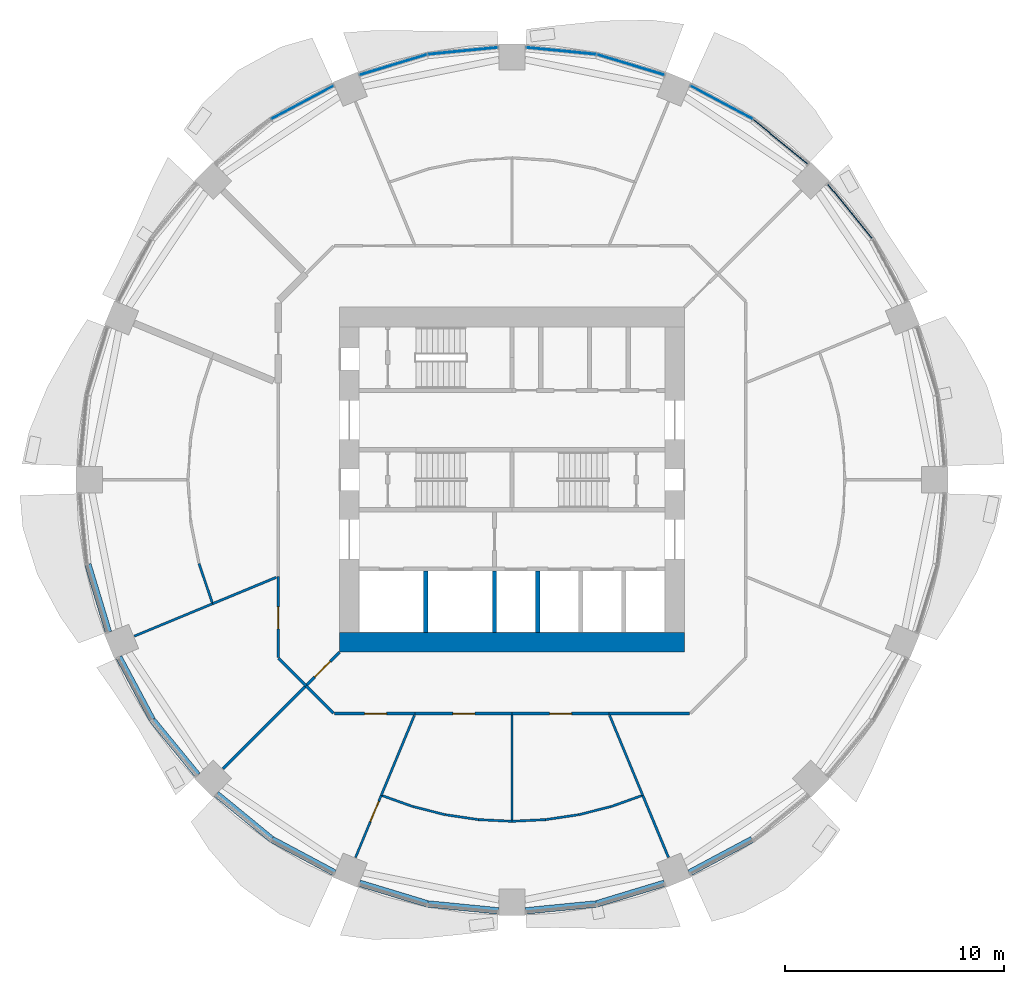
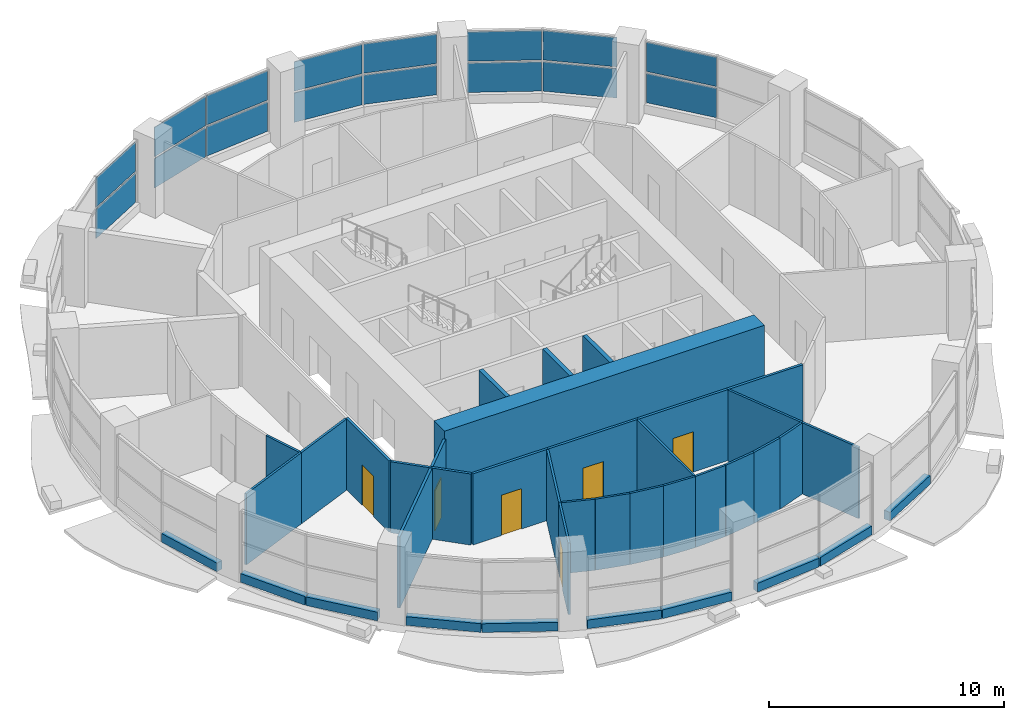
# One storey, part 7 of 14: 39 walls, 16 plates, 6 doors, 6 openings, 5 elements without a shape of their own.
"""IFC4 building model written with IfcOpenShell, lengths in metres."""

from ifc_helpers import new_model, si_unit, direction, frame, frame_2d, origin, origin_2d, place, context, subcontext, project, spatial, rectangle, extrude, material, layer, layer_set, type_object, element, fill, aggregate, save


model = new_model("IFC4")

# Units and contexts
model_context = context("Model", 3, precision=1e-05, world=origin(), true_north=direction((0.0, 1.0)))
body_context = subcontext(model_context, "Body", "Model", "MODEL_VIEW")
ifc_project = project(units=[si_unit("LENGTHUNIT", "METRE"), si_unit("AREAUNIT", "SQUARE_METRE"), si_unit("VOLUMEUNIT", "CUBIC_METRE"), si_unit("PLANEANGLEUNIT", "RADIAN"), si_unit("MASSUNIT", "GRAM", prefix="KILO")], contexts=[model_context])

# Site, building, storey
site_placement = place(None, origin())
site = spatial("IfcSite", under=ifc_project, at=site_placement, CompositionType="ELEMENT")
building_placement = place(site_placement, origin())
building = spatial("IfcBuilding", under=site, at=building_placement, Name="Polderwave Tower", CompositionType="ELEMENT")
storey_placement = place(building_placement, frame((0.0, 0.0, 14.39990234375)))
storey = spatial("IfcBuildingStorey", under=building, at=storey_placement, Name="L03", CompositionType="ELEMENT", Elevation=14.39990234375)

# Curtain wall, plates
ifc_material_1 = material(Name="Aluminium 6063-T6 and glass", Category="aluminium")
curtain_wall_type = type_object("IfcCurtainWallType", Name="Shopfront glazing wall", PredefinedType="NOTDEFINED", material=ifc_material_1)
curtain_wall_1_placement = place(storey_placement, origin())
curtain_wall_1 = element("IfcCurtainWall", 1, at=curtain_wall_1_placement, inside=storey, type_object=curtain_wall_type, Name="CW1 L03 01", PredefinedType="NOTDEFINED")
ifc_material_2 = material(Name="Glass, low-e laminated double glazing", Category="glass")
ifc_layer_1 = layer(ifc_material_2, 0.035888671875)
ifc_layer_set_1 = layer_set([ifc_layer_1], Name="Shopfront glazing glass panel 36 mm")
plate_type = type_object("IfcPlateType", Name="Shopfront glazing glass panel 36 mm", PredefinedType="CURTAIN_PANEL", material=ifc_layer_set_1)
plate_1_placement = place(storey_placement, frame((15.425048828125, 12.25, 0.4501953125), z_axis=(0.0, 0.0, 1.0), x_axis=(-0.634433758027, 0.772977235548, 0.0)))
plate_1 = element("IfcPlate", 2, at=plate_1_placement, type_object=plate_type, Name="CW1 panel 3", PredefinedType="CURTAIN_PANEL", context=body_context, shape_type="SweptSolid", body=[
    extrude(rectangle(XDim=3.18701171875, YDim=0.035888671875, at=origin_2d()), origin(), (0.0, 0.0, 1.0), 1.52490234375),
])
plate_2_placement = place(storey_placement, frame((15.425048828125, 12.25, 2.0751953125), z_axis=(0.0, 0.0, 1.0), x_axis=(-0.634433758027, 0.772977235548, 0.0)))
plate_2 = element("IfcPlate", 3, at=plate_2_placement, type_object=plate_type, Name="CW1 panel 4", PredefinedType="CURTAIN_PANEL", context=body_context, shape_type="SweptSolid", body=[
    extrude(rectangle(XDim=3.18701171875, YDim=0.035888671875, at=origin_2d()), origin(), (0.0, 0.0, 1.0), 1.52490234375),
])
aggregate(curtain_wall_1, [plate_1, plate_2])

curtain_wall_2_placement = place(storey_placement, origin())
curtain_wall_2 = element("IfcCurtainWall", 4, at=curtain_wall_2_placement, inside=storey, type_object=curtain_wall_type, Name="CW1 L03 02", PredefinedType="NOTDEFINED")
plate_3_placement = place(storey_placement, frame((12.25, 15.425048828125, 0.4501953125), z_axis=(0.0, 0.0, 1.0), x_axis=(-0.772977235548, 0.634433758027, 0.0)))
plate_3 = element("IfcPlate", 5, at=plate_3_placement, type_object=plate_type, Name="CW1 panel 1", PredefinedType="CURTAIN_PANEL", context=body_context, shape_type="SweptSolid", body=[
    extrude(rectangle(XDim=3.18701171875, YDim=0.035888671875, at=origin_2d()), origin(), (0.0, 0.0, 1.0), 1.52490234375),
])
plate_4_placement = place(storey_placement, frame((12.25, 15.425048828125, 2.0751953125), z_axis=(0.0, 0.0, 1.0), x_axis=(-0.772977235548, 0.634433758027, 0.0)))
plate_4 = element("IfcPlate", 6, at=plate_4_placement, type_object=plate_type, Name="CW1 panel 2", PredefinedType="CURTAIN_PANEL", context=body_context, shape_type="SweptSolid", body=[
    extrude(rectangle(XDim=3.18701171875, YDim=0.035888671875, at=origin_2d()), origin(), (0.0, 0.0, 1.0), 1.52490234375),
])
plate_5_placement = place(storey_placement, frame((9.563232421875, 17.219970703125, 0.4501953125), z_axis=(0.0, 0.0, 1.0), x_axis=(-0.882015039538, 0.471221253797, 0.0)))
plate_5 = element("IfcPlate", 7, at=plate_5_placement, type_object=plate_type, Name="CW1 panel 3", PredefinedType="CURTAIN_PANEL", context=body_context, shape_type="SweptSolid", body=[
    extrude(rectangle(XDim=3.1865234375, YDim=0.035888671875, at=origin_2d()), origin(), (0.0, 0.0, 1.0), 1.52490234375),
])
plate_6_placement = place(storey_placement, frame((9.563232421875, 17.219970703125, 2.0751953125), z_axis=(0.0, 0.0, 1.0), x_axis=(-0.882015039538, 0.471221253797, 0.0)))
plate_6 = element("IfcPlate", 8, at=plate_6_placement, type_object=plate_type, Name="CW1 panel 4", PredefinedType="CURTAIN_PANEL", context=body_context, shape_type="SweptSolid", body=[
    extrude(rectangle(XDim=3.1865234375, YDim=0.035888671875, at=origin_2d()), origin(), (0.0, 0.0, 1.0), 1.52490234375),
])
aggregate(curtain_wall_2, [plate_3, plate_4, plate_5, plate_6])

curtain_wall_3_placement = place(storey_placement, origin())
curtain_wall_3 = element("IfcCurtainWall", 9, at=curtain_wall_3_placement, inside=storey, type_object=curtain_wall_type, Name="CW1 L03 03", PredefinedType="NOTDEFINED")
plate_7_placement = place(storey_placement, frame((5.4140625, 18.93896484375, 0.4501953125), z_axis=(0.0, 0.0, 1.0), x_axis=(-0.956939829088, 0.29028634743, 0.0)))
plate_7 = element("IfcPlate", 10, at=plate_7_placement, type_object=plate_type, Name="CW1 panel 1", PredefinedType="CURTAIN_PANEL", context=body_context, shape_type="SweptSolid", body=[
    extrude(rectangle(XDim=3.18603515625, YDim=0.035888671875, at=origin_2d()), origin(), (0.0, 0.0, 1.0), 1.52490234375),
])
plate_8_placement = place(storey_placement, frame((5.4140625, 18.93896484375, 2.0751953125), z_axis=(0.0, 0.0, 1.0), x_axis=(-0.956939829088, 0.29028634743, 0.0)))
plate_8 = element("IfcPlate", 11, at=plate_8_placement, type_object=plate_type, Name="CW1 panel 2", PredefinedType="CURTAIN_PANEL", context=body_context, shape_type="SweptSolid", body=[
    extrude(rectangle(XDim=3.18603515625, YDim=0.035888671875, at=origin_2d()), origin(), (0.0, 0.0, 1.0), 1.52490234375),
])
plate_9_placement = place(storey_placement, frame((2.245361328125, 19.569091796875, 0.4501953125), z_axis=(0.0, 0.0, 1.0), x_axis=(-0.995190028453, 0.097963295511, 0.0)))
plate_9 = element("IfcPlate", 12, at=plate_9_placement, type_object=plate_type, Name="CW1 panel 3", PredefinedType="CURTAIN_PANEL", context=body_context, shape_type="SweptSolid", body=[
    extrude(rectangle(XDim=3.186767578125, YDim=0.035888671875, at=origin_2d()), origin(), (0.0, 0.0, 1.0), 1.52490234375),
])
plate_10_placement = place(storey_placement, frame((2.245361328125, 19.569091796875, 2.0751953125), z_axis=(0.0, 0.0, 1.0), x_axis=(-0.995190028453, 0.097963295511, 0.0)))
plate_10 = element("IfcPlate", 13, at=plate_10_placement, type_object=plate_type, Name="CW1 panel 4", PredefinedType="CURTAIN_PANEL", context=body_context, shape_type="SweptSolid", body=[
    extrude(rectangle(XDim=3.186767578125, YDim=0.035888671875, at=origin_2d()), origin(), (0.0, 0.0, 1.0), 1.52490234375),
])
aggregate(curtain_wall_3, [plate_7, plate_8, plate_9, plate_10])

curtain_wall_4_placement = place(storey_placement, origin())
curtain_wall_4 = element("IfcCurtainWall", 14, at=curtain_wall_4_placement, inside=storey, type_object=curtain_wall_type, Name="CW1 L03 04", PredefinedType="NOTDEFINED")
plate_11_placement = place(storey_placement, frame((-2.245361328125, 19.569091796875, 0.4501953125), z_axis=(0.0, 0.0, 1.0), x_axis=(-0.995190028453, -0.097963295511, 0.0)))
plate_11 = element("IfcPlate", 15, at=plate_11_placement, type_object=plate_type, Name="CW1 panel 1", PredefinedType="CURTAIN_PANEL", context=body_context, shape_type="SweptSolid", body=[
    extrude(rectangle(XDim=3.186767578125, YDim=0.035888671875, at=origin_2d()), origin(), (0.0, 0.0, 1.0), 1.52490234375),
])
plate_12_placement = place(storey_placement, frame((-2.245361328125, 19.569091796875, 2.0751953125), z_axis=(0.0, 0.0, 1.0), x_axis=(-0.995190028453, -0.097963295511, 0.0)))
plate_12 = element("IfcPlate", 16, at=plate_12_placement, type_object=plate_type, Name="CW1 panel 2", PredefinedType="CURTAIN_PANEL", context=body_context, shape_type="SweptSolid", body=[
    extrude(rectangle(XDim=3.186767578125, YDim=0.035888671875, at=origin_2d()), origin(), (0.0, 0.0, 1.0), 1.52490234375),
])
plate_13_placement = place(storey_placement, frame((-5.4140625, 18.93896484375, 0.4501953125), z_axis=(0.0, 0.0, 1.0), x_axis=(-0.956939829088, -0.29028634743, 0.0)))
plate_13 = element("IfcPlate", 17, at=plate_13_placement, type_object=plate_type, Name="CW1 panel 3", PredefinedType="CURTAIN_PANEL", context=body_context, shape_type="SweptSolid", body=[
    extrude(rectangle(XDim=3.18603515625, YDim=0.035888671875, at=origin_2d()), origin(), (0.0, 0.0, 1.0), 1.52490234375),
])
plate_14_placement = place(storey_placement, frame((-5.4140625, 18.93896484375, 2.0751953125), z_axis=(0.0, 0.0, 1.0), x_axis=(-0.956939829088, -0.29028634743, 0.0)))
plate_14 = element("IfcPlate", 18, at=plate_14_placement, type_object=plate_type, Name="CW1 panel 4", PredefinedType="CURTAIN_PANEL", context=body_context, shape_type="SweptSolid", body=[
    extrude(rectangle(XDim=3.18603515625, YDim=0.035888671875, at=origin_2d()), origin(), (0.0, 0.0, 1.0), 1.52490234375),
])
aggregate(curtain_wall_4, [plate_11, plate_12, plate_13, plate_14])

curtain_wall_5_placement = place(storey_placement, origin())
curtain_wall_5 = element("IfcCurtainWall", 19, at=curtain_wall_5_placement, inside=storey, type_object=curtain_wall_type, Name="CW1 L03 05", PredefinedType="NOTDEFINED")
plate_15_placement = place(storey_placement, frame((-9.563232421875, 17.219970703125, 0.4501953125), z_axis=(0.0, 0.0, 1.0), x_axis=(-0.882015039538, -0.471221253797, 0.0)))
plate_15 = element("IfcPlate", 20, at=plate_15_placement, type_object=plate_type, Name="CW1 panel 1", PredefinedType="CURTAIN_PANEL", context=body_context, shape_type="SweptSolid", body=[
    extrude(rectangle(XDim=3.1865234375, YDim=0.035888671875, at=origin_2d()), origin(), (0.0, 0.0, 1.0), 1.52490234375),
])
plate_16_placement = place(storey_placement, frame((-9.563232421875, 17.219970703125, 2.0751953125), z_axis=(0.0, 0.0, 1.0), x_axis=(-0.882015039538, -0.471221253797, 0.0)))
plate_16 = element("IfcPlate", 21, at=plate_16_placement, type_object=plate_type, Name="CW1 panel 2", PredefinedType="CURTAIN_PANEL", context=body_context, shape_type="SweptSolid", body=[
    extrude(rectangle(XDim=3.1865234375, YDim=0.035888671875, at=origin_2d()), origin(), (0.0, 0.0, 1.0), 1.52490234375),
])
aggregate(curtain_wall_5, [plate_15, plate_16])

# Walls
ifc_material_3 = material(Name="Concrete C80/95", Category="concrete")
ifc_layer_2 = layer(ifc_material_3, 0.89990234375)
ifc_layer_set_2 = layer_set([ifc_layer_2], Name="CORE WALL 900 C80/95")
wall_type_1 = type_object("IfcWallType", Name="CORE WALL 900 C80/95", PredefinedType="SHEAR", material=ifc_layer_set_2)
wall_1_placement = place(storey_placement, frame((-7.8740234375, -7.424072265625, 0.0), z_axis=(0.0, 0.0, 1.0), x_axis=(1.0, 0.0, 0.0)))
element("IfcWall", 22, at=wall_1_placement, inside=storey, type_object=wall_type_1, Name="ST-CORE-L03-S", PredefinedType="SHEAR", context=body_context, shape_type="SweptSolid", body=[
    extrude(rectangle(XDim=15.748046875, YDim=0.89990234375, at=frame_2d((7.8740234375, 0.0))), origin(), (0.0, 0.0, 1.0), 4.10009765625),
])
ifc_material_4 = material(Name="Concrete C50/60 (board-marked)", Category="concrete")
ifc_layer_3 = layer(ifc_material_4, 0.300048828125)
ifc_layer_set_3 = layer_set([ifc_layer_3], Name="Concrete spandrel upstand C50/60")
wall_type_2 = type_object("IfcWallType", Name="Concrete spandrel upstand C50/60", PredefinedType="SOLIDWALL", material=ifc_layer_set_3)
wall_2_placement = place(storey_placement, frame((-19.356689453125, -3.865478515625, 0.0), z_axis=(0.0, 0.0, 1.0), x_axis=(0.290390365963, -0.956908269039, 0.0)))
element("IfcWall", 23, at=wall_2_placement, inside=storey, type_object=wall_type_2, Name="Spandrel L03 9b", PredefinedType="SOLIDWALL", context=body_context, shape_type="SweptSolid", body=[
    extrude(rectangle(XDim=3.237548828125, YDim=0.300048828125, at=frame_2d((1.61865234375, 0.0))), origin(), (0.0, 0.0, 1.0), 0.4501953125),
])
for number, where, z_axis, x_axis, name in (
    (24, (-17.94580078125, -8.09716796875, 0.0), (0.0, 0.0, 1.0), (0.471085080078, -0.882087777564, 0.0), "Spandrel L03 10a"),
    (25, (-16.403564453125, -10.978515625, 0.0), (0.0, 0.0, 1.0), (0.634218412843, -0.773153933451, 0.0), "Spandrel L03 10b"),
    (26, (-13.482421875, -14.349609375, 0.0), (0.0, 0.0, 1.0), (0.773153933451, -0.634218412843, 0.0), "Spandrel L03 11a"),
    (27, (-10.953857421875, -16.420166015625, 0.0), (0.0, 0.0, 1.0), (0.882087777564, -0.471085080078, 0.0), "Spandrel L03 11b"),
):
    element("IfcWall", number, at=place(storey_placement, frame(where, z_axis=z_axis, x_axis=x_axis)), inside=storey, type_object=wall_type_2, Name=name, PredefinedType="SOLIDWALL", context=body_context, shape_type="SweptSolid", body=[
        extrude(rectangle(XDim=3.238525390625, YDim=0.300048828125, at=frame_2d((1.619140625, 0.0))), origin(), (0.0, 0.0, 1.0), 0.4501953125),
    ])
wall_3_placement = place(storey_placement, frame((-6.963623046875, -18.41650390625, 0.0), z_axis=(0.0, 0.0, 1.0), x_axis=(0.956908269039, -0.290390365963, 0.0)))
element("IfcWall", 28, at=wall_3_placement, inside=storey, type_object=wall_type_2, Name="Spandrel L03 12a", PredefinedType="SOLIDWALL", context=body_context, shape_type="SweptSolid", body=[
    extrude(rectangle(XDim=3.237548828125, YDim=0.300048828125, at=frame_2d((1.61865234375, 0.0))), origin(), (0.0, 0.0, 1.0), 0.4501953125),
])
for number, where, z_axis, x_axis, name in (
    (29, (-3.836181640625, -19.362548828125, 0.0), (0.0, 0.0, 1.0), (0.995202224809, -0.097839315898, 0.0), "Spandrel L03 12b"),
    (30, (0.61279296875, -19.679443359375, 0.0), (0.0, 0.0, 1.0), (0.995202224809, 0.097839315898, 0.0), "Spandrel L03 13a"),
):
    element("IfcWall", number, at=place(storey_placement, frame(where, z_axis=z_axis, x_axis=x_axis)), inside=storey, type_object=wall_type_2, Name=name, PredefinedType="SOLIDWALL", context=body_context, shape_type="SweptSolid", body=[
        extrude(rectangle(XDim=3.239013671875, YDim=0.300048828125, at=frame_2d((1.61962890625, 0.0))), origin(), (0.0, 0.0, 1.0), 0.4501953125),
    ])
wall_4_placement = place(storey_placement, frame((3.865478515625, -19.356689453125, 0.0), z_axis=(0.0, 0.0, 1.0), x_axis=(0.956908269039, 0.290390365963, 0.0)))
element("IfcWall", 31, at=wall_4_placement, inside=storey, type_object=wall_type_2, Name="Spandrel L03 13b", PredefinedType="SOLIDWALL", context=body_context, shape_type="SweptSolid", body=[
    extrude(rectangle(XDim=3.237548828125, YDim=0.300048828125, at=frame_2d((1.61865234375, 0.0))), origin(), (0.0, 0.0, 1.0), 0.4501953125),
])
wall_5_placement = place(storey_placement, frame((8.09716796875, -17.94580078125, 0.0), z_axis=(0.0, 0.0, 1.0), x_axis=(0.882087777564, 0.471085080078, 0.0)))
element("IfcWall", 32, at=wall_5_placement, inside=storey, type_object=wall_type_2, Name="Spandrel L03 14a", PredefinedType="SOLIDWALL", context=body_context, shape_type="SweptSolid", body=[
    extrude(rectangle(XDim=3.238525390625, YDim=0.300048828125, at=frame_2d((1.619140625, 0.0))), origin(), (0.0, 0.0, 1.0), 0.4501953125),
])

# Wall, opening, door
ifc_material_5 = material(Name="Fire-resisting board on steel studs", Category="steel")
ifc_layer_4 = layer(ifc_material_5, 0.125)
ifc_layer_set_4 = layer_set([ifc_layer_4], Name="Corridor wall 125 mm EI 60")
wall_type_3 = type_object("IfcWallType", Name="Corridor wall 125 mm EI 60", PredefinedType="PARTITIONING", material=ifc_layer_set_4)
wall_6_placement = place(storey_placement, frame((-7.8740234375, -7.8740234375, 0.0), z_axis=(0.0, 0.0, 1.0), x_axis=(-0.707106781187, -0.707106781187, 0.0)))
wall_6 = element("IfcWall", 33, at=wall_6_placement, inside=storey, type_object=wall_type_3, Name="IN-L03-W013", PredefinedType="PARTITIONING", context=body_context, shape_type="SweptSolid", body=[
    extrude(rectangle(XDim=2.10205078125, YDim=0.125, at=frame_2d((1.051025390625, 0.0))), origin(), (0.0, 0.0, 1.0), 3.7001953125),
])
opening_1_placement = place(wall_6_placement, frame((0.60009765625, 0.0, 0.0)))
opening_1 = element("IfcOpeningElement", 34, at=opening_1_placement, cuts=wall_6, Name="Opening L03-D58", PredefinedType="OPENING", context=body_context, shape_type="SweptSolid", body=[
    extrude(rectangle(XDim=1.0, YDim=2.10009765625, at=frame_2d((0.5, 1.050048828125))), frame((0.0, 0.072509765625, 0.0), z_axis=(0.0, -1.0, 0.0), x_axis=(1.0, 0.0, 0.0)), (0.0, 0.0, 1.0), 0.14501953125),
])
ifc_material_6 = material(Name="Timber fire door leaf", Category="wood")
door_type_1 = type_object("IfcDoorType", Name="Fire door FD30S 1000 x 2100", OperationType="NOTDEFINED", PredefinedType="DOOR", material=ifc_material_6)
door_1_placement = place(opening_1_placement, origin())
door_1 = element("IfcDoor", 35, at=door_1_placement, inside=storey, type_object=door_type_1, Name="Door L03-D58", OperationType="SINGLE_SWING_RIGHT", OverallHeight=2.10009765625, OverallWidth=1.0, PredefinedType="DOOR", context=body_context, shape_type="SweptSolid", body=[
    extrude(rectangle(XDim=1.0, YDim=2.10009765625, at=frame_2d((0.5, 1.050048828125))), frame((0.0, 0.02490234375, 0.0), z_axis=(0.0, -1.0, 0.0), x_axis=(1.0, 0.0, 0.0)), (0.0, 0.0, 1.0), 0.050048828125),
])
fill(opening_1, door_1)

wall_7_placement = place(storey_placement, frame((-10.674072265625, -8.109130859375, 0.0), z_axis=(0.0, 0.0, 1.0), x_axis=(0.0, 1.0, 0.0)))
wall_7 = element("IfcWall", 36, at=wall_7_placement, inside=storey, type_object=wall_type_3, Name="IN-L03-W017", PredefinedType="PARTITIONING", context=body_context, shape_type="SweptSolid", body=[
    extrude(rectangle(XDim=3.687744140625, YDim=0.125, at=frame_2d((1.84375, 0.0))), origin(), (0.0, 0.0, 1.0), 3.7001953125),
])
opening_2_placement = place(wall_7_placement, frame((1.300048828125, 0.0, 0.0)))
opening_2 = element("IfcOpeningElement", 37, at=opening_2_placement, cuts=wall_7, Name="Opening L03-D61", PredefinedType="OPENING", context=body_context, shape_type="SweptSolid", body=[
    extrude(rectangle(XDim=1.0, YDim=2.10009765625, at=frame_2d((0.5, 1.050048828125))), frame((0.0, 0.072509765625, 0.0), z_axis=(0.0, -1.0, 0.0), x_axis=(1.0, 0.0, 0.0)), (0.0, 0.0, 1.0), 0.14501953125),
])
door_2_placement = place(opening_2_placement, origin())
door_2 = element("IfcDoor", 38, at=door_2_placement, inside=storey, type_object=door_type_1, Name="Door L03-D61", OperationType="SINGLE_SWING_LEFT", OverallHeight=2.10009765625, OverallWidth=1.0, PredefinedType="DOOR", context=body_context, shape_type="SweptSolid", body=[
    extrude(rectangle(XDim=1.0, YDim=2.10009765625, at=frame_2d((0.5, 1.050048828125))), frame((0.0, 0.02490234375, 0.0), z_axis=(0.0, -1.0, 0.0), x_axis=(1.0, 0.0, 0.0)), (0.0, 0.0, 1.0), 0.050048828125),
])
fill(opening_2, door_2)

# Walls
for number, where, z_axis, x_axis, name in (
    (39, (-9.404541015625, -9.404541015625, 0.0), (0.0, 0.0, 1.0), (-0.707106781187, 0.707106781187, 0.0), "IN-L03-W018"),
    (40, (-8.1533203125, -10.65576171875, 0.0), (0.0, 0.0, 1.0), (-0.707106781187, 0.707106781187, 0.0), "IN-L03-W019"),
):
    element("IfcWall", number, at=place(storey_placement, frame(where, z_axis=z_axis, x_axis=x_axis)), inside=storey, type_object=wall_type_3, Name=name, PredefinedType="PARTITIONING", context=body_context, shape_type="SweptSolid", body=[
        extrude(rectangle(XDim=1.76953125, YDim=0.125, at=frame_2d((0.884765625, 0.0))), origin(), (0.0, 0.0, 1.0), 3.7001953125),
    ])

# Wall, opening, door
wall_8_placement = place(storey_placement, frame((-4.42138671875, -10.674072265625, 0.0), z_axis=(0.0, 0.0, 1.0), x_axis=(-1.0, 0.0, 0.0)))
wall_8 = element("IfcWall", 41, at=wall_8_placement, inside=storey, type_object=wall_type_3, Name="IN-L03-W020", PredefinedType="PARTITIONING", context=body_context, shape_type="SweptSolid", body=[
    extrude(rectangle(XDim=3.687744140625, YDim=0.125, at=frame_2d((1.84375, 0.0))), origin(), (0.0, 0.0, 1.0), 3.7001953125),
])
opening_3_placement = place(wall_8_placement, frame((1.300048828125, 0.0, 0.0)))
opening_3 = element("IfcOpeningElement", 42, at=opening_3_placement, cuts=wall_8, Name="Opening L03-D62", PredefinedType="OPENING", context=body_context, shape_type="SweptSolid", body=[
    extrude(rectangle(XDim=1.0, YDim=2.10009765625, at=frame_2d((0.5, 1.050048828125))), frame((0.0, 0.072509765625, 0.0), z_axis=(0.0, -1.0, 0.0), x_axis=(1.0, 0.0, 0.0)), (0.0, 0.0, 1.0), 0.14501953125),
])
door_3_placement = place(opening_3_placement, origin())
door_3 = element("IfcDoor", 43, at=door_3_placement, inside=storey, type_object=door_type_1, Name="Door L03-D62", OperationType="SINGLE_SWING_LEFT", OverallHeight=2.10009765625, OverallWidth=1.0, PredefinedType="DOOR", context=body_context, shape_type="SweptSolid", body=[
    extrude(rectangle(XDim=1.0, YDim=2.10009765625, at=frame_2d((0.5, 1.050048828125))), frame((0.0, 0.02490234375, 0.0), z_axis=(0.0, -1.0, 0.0), x_axis=(1.0, 0.0, 0.0)), (0.0, 0.0, 1.0), 0.050048828125),
])
fill(opening_3, door_3)

wall_9_placement = place(storey_placement, frame((0.0, -10.674072265625, 0.0), z_axis=(0.0, 0.0, 1.0), x_axis=(-1.0, 0.0, 0.0)))
wall_9 = element("IfcWall", 44, at=wall_9_placement, inside=storey, type_object=wall_type_3, Name="IN-L03-W021", PredefinedType="PARTITIONING", context=body_context, shape_type="SweptSolid", body=[
    extrude(rectangle(XDim=4.42138671875, YDim=0.125, at=frame_2d((2.210693359375, 0.0))), origin(), (0.0, 0.0, 1.0), 3.7001953125),
])
opening_4_placement = place(wall_9_placement, frame((1.699951171875, 0.0, 0.0)))
opening_4 = element("IfcOpeningElement", 45, at=opening_4_placement, cuts=wall_9, Name="Opening L03-D63", PredefinedType="OPENING", context=body_context, shape_type="SweptSolid", body=[
    extrude(rectangle(XDim=1.0, YDim=2.10009765625, at=frame_2d((0.5, 1.050048828125))), frame((0.0, 0.072509765625, 0.0), z_axis=(0.0, -1.0, 0.0), x_axis=(1.0, 0.0, 0.0)), (0.0, 0.0, 1.0), 0.14501953125),
])
door_4_placement = place(opening_4_placement, origin())
door_4 = element("IfcDoor", 46, at=door_4_placement, inside=storey, type_object=door_type_1, Name="Door L03-D63", OperationType="SINGLE_SWING_LEFT", OverallHeight=2.10009765625, OverallWidth=1.0, PredefinedType="DOOR", context=body_context, shape_type="SweptSolid", body=[
    extrude(rectangle(XDim=1.0, YDim=2.10009765625, at=frame_2d((0.5, 1.050048828125))), frame((0.0, 0.02490234375, 0.0), z_axis=(0.0, -1.0, 0.0), x_axis=(1.0, 0.0, 0.0)), (0.0, 0.0, 1.0), 0.050048828125),
])
fill(opening_4, door_4)

wall_10_placement = place(storey_placement, frame((4.42138671875, -10.674072265625, 0.0), z_axis=(0.0, 0.0, 1.0), x_axis=(-1.0, 0.0, 0.0)))
wall_10 = element("IfcWall", 47, at=wall_10_placement, inside=storey, type_object=wall_type_3, Name="IN-L03-W022", PredefinedType="PARTITIONING", context=body_context, shape_type="SweptSolid", body=[
    extrude(rectangle(XDim=4.42138671875, YDim=0.125, at=frame_2d((2.210693359375, 0.0))), origin(), (0.0, 0.0, 1.0), 3.7001953125),
])
opening_5_placement = place(wall_10_placement, frame((1.699951171875, 0.0, 0.0)))
opening_5 = element("IfcOpeningElement", 48, at=opening_5_placement, cuts=wall_10, Name="Opening L03-D64", PredefinedType="OPENING", context=body_context, shape_type="SweptSolid", body=[
    extrude(rectangle(XDim=1.0, YDim=2.10009765625, at=frame_2d((0.5, 1.050048828125))), frame((0.0, 0.072509765625, 0.0), z_axis=(0.0, -1.0, 0.0), x_axis=(1.0, 0.0, 0.0)), (0.0, 0.0, 1.0), 0.14501953125),
])
door_5_placement = place(opening_5_placement, origin())
door_5 = element("IfcDoor", 49, at=door_5_placement, inside=storey, type_object=door_type_1, Name="Door L03-D64", OperationType="SINGLE_SWING_LEFT", OverallHeight=2.10009765625, OverallWidth=1.0, PredefinedType="DOOR", context=body_context, shape_type="SweptSolid", body=[
    extrude(rectangle(XDim=1.0, YDim=2.10009765625, at=frame_2d((0.5, 1.050048828125))), frame((0.0, 0.02490234375, 0.0), z_axis=(0.0, -1.0, 0.0), x_axis=(1.0, 0.0, 0.0)), (0.0, 0.0, 1.0), 0.050048828125),
])
fill(opening_5, door_5)

# Walls
wall_11_placement = place(storey_placement, frame((8.109130859375, -10.674072265625, 0.0), z_axis=(0.0, 0.0, 1.0), x_axis=(-1.0, 0.0, 0.0)))
element("IfcWall", 50, at=wall_11_placement, inside=storey, type_object=wall_type_3, Name="IN-L03-W023", PredefinedType="PARTITIONING", context=body_context, shape_type="SweptSolid", body=[
    extrude(rectangle(XDim=3.687744140625, YDim=0.125, at=frame_2d((1.84375, 0.0))), origin(), (0.0, 0.0, 1.0), 3.7001953125),
])
wall_12_placement = place(storey_placement, frame((-9.44873046875, -9.44873046875, 0.0), z_axis=(0.0, 0.0, 1.0), x_axis=(-0.707106781187, -0.707106781187, 0.0)))
element("IfcWall", 51, at=wall_12_placement, inside=storey, type_object=wall_type_3, Name="IN-L03-W061", PredefinedType="PARTITIONING", context=body_context, shape_type="SweptSolid", body=[
    extrude(rectangle(XDim=5.29736328125, YDim=0.125, at=frame_2d((2.648681640625, 0.0))), origin(), (0.0, 0.0, 1.0), 3.7001953125),
])

# Wall, opening, door
ifc_material_7 = material(Name="Plasterboard on steel studs", Category="steel")
ifc_layer_5 = layer(ifc_material_7, 0.10009765625)
ifc_layer_set_5 = layer_set([ifc_layer_5], Name="Partition 100 mm plasterboard on steel studs")
wall_type_4 = type_object("IfcWallType", Name="Partition 100 mm plasterboard on steel studs", PredefinedType="PARTITIONING", material=ifc_layer_set_5)
wall_13_placement = place(storey_placement, frame((-5.966064453125, -14.4033203125, 0.0), z_axis=(0.0, 0.0, 1.0), x_axis=(-0.382688933871, -0.923877253694, 0.0)))
wall_13 = element("IfcWall", 52, at=wall_13_placement, inside=storey, type_object=wall_type_4, Name="IN-L03-W063", PredefinedType="PARTITIONING", context=body_context, shape_type="SweptSolid", body=[
    extrude(rectangle(XDim=3.06982421875, YDim=0.10009765625, at=frame_2d((1.534912109375, 0.0))), origin(), (0.0, 0.0, 1.0), 3.7001953125),
])
opening_6_placement = place(wall_13_placement, frame((0.300048828125, 0.0, 0.0)))
opening_6 = element("IfcOpeningElement", 53, at=opening_6_placement, cuts=wall_13, Name="Opening L03-D70", PredefinedType="OPENING", context=body_context, shape_type="SweptSolid", body=[
    extrude(rectangle(XDim=1.0, YDim=2.10009765625, at=frame_2d((0.5, 1.050048828125))), frame((0.0, 0.06005859375, 0.0), z_axis=(0.0, -1.0, 0.0), x_axis=(1.0, 0.0, 0.0)), (0.0, 0.0, 1.0), 0.1201171875),
])
ifc_material_8 = material(Name="Timber veneer door leaf", Category="wood")
door_type_2 = type_object("IfcDoorType", Name="Single door 1000 x 2100", OperationType="NOTDEFINED", PredefinedType="DOOR", material=ifc_material_8)
door_6_placement = place(opening_6_placement, origin())
door_6 = element("IfcDoor", 54, at=door_6_placement, inside=storey, type_object=door_type_2, Name="Door L03-D70", OperationType="SINGLE_SWING_LEFT", OverallHeight=2.10009765625, OverallWidth=1.0, PredefinedType="DOOR", context=body_context, shape_type="SweptSolid", body=[
    extrude(rectangle(XDim=1.0, YDim=2.10009765625, at=frame_2d((0.5, 1.050048828125))), frame((0.0, 0.02490234375, 0.0), z_axis=(0.0, -1.0, 0.0), x_axis=(1.0, 0.0, 0.0)), (0.0, 0.0, 1.0), 0.050048828125),
])
fill(opening_6, door_6)

# Walls
ifc_material_9 = material(Name="Moisture-resistant board on steel studs, tiled", Category="steel")
ifc_layer_6 = layer(ifc_material_9, 0.10498046875)
ifc_layer_set_6 = layer_set([ifc_layer_6], Name="Partition 105 mm wet room board and tile")
wall_type_5 = type_object("IfcWallType", Name="Partition 105 mm wet room board and tile", PredefinedType="PARTITIONING", material=ifc_layer_set_6)
wall_14_placement = place(storey_placement, frame((-13.68310546875, -5.6044921875, 0.0), z_axis=(0.0, 0.0, 1.0), x_axis=(-0.321386121537, 0.946948235588, 0.0)))
element("IfcWall", 55, at=wall_14_placement, inside=storey, type_object=wall_type_5, Name="IN-L03-W057", PredefinedType="PARTITIONING", context=body_context, shape_type="SweptSolid", body=[
    extrude(rectangle(XDim=1.87255859375, YDim=0.10498046875, at=frame_2d((0.936279296875, 0.0))), origin(), (0.0, 0.0, 1.0), 3.7001953125),
])
wall_15_placement = place(storey_placement, frame((-13.664306640625, -5.659912109375, 0.0), z_axis=(0.0, 0.0, 1.0), x_axis=(-0.923873809035, -0.382697249768, 0.0)))
element("IfcWall", 56, at=wall_15_placement, inside=storey, type_object=wall_type_5, Name="IN-L03-W060", PredefinedType="PARTITIONING", context=body_context, shape_type="SweptSolid", body=[
    extrude(rectangle(XDim=3.869873046875, YDim=0.10498046875, at=frame_2d((1.93505859375, 0.0))), origin(), (0.0, 0.0, 1.0), 3.7001953125),
])
wall_16_placement = place(storey_placement, frame((-4.45556640625, -10.756591796875, 0.0), z_axis=(0.0, 0.0, 1.0), x_axis=(-0.382677731611, -0.923881893821, 0.0)))
element("IfcWall", 57, at=wall_16_placement, inside=storey, type_object=wall_type_5, Name="IN-L03-W062", PredefinedType="PARTITIONING", context=body_context, shape_type="SweptSolid", body=[
    extrude(rectangle(XDim=3.947265625, YDim=0.10498046875, at=frame_2d((1.9736328125, 0.0))), origin(), (0.0, 0.0, 1.0), 3.7001953125),
])
wall_17_placement = place(storey_placement, frame((-4.52783203125, -14.917724609375, 0.0), z_axis=(0.0, 0.0, 1.0), x_axis=(-0.94157671958, 0.336798576518, 0.0)))
element("IfcWall", 58, at=wall_17_placement, inside=storey, type_object=wall_type_5, Name="IN-L03-W064", PredefinedType="PARTITIONING", context=body_context, shape_type="SweptSolid", body=[
    extrude(rectangle(XDim=1.47216796875, YDim=0.10498046875, at=frame_2d((0.736083984375, 0.0))), origin(), (0.0, 0.0, 1.0), 3.7001953125),
])
for number, where, z_axis, x_axis, name in (
    (59, (-3.0439453125, -15.289794921875, 0.0), (0.0, 0.0, 1.0), (-0.97001049275, 0.243063045228, 0.0), "IN-L03-W065"),
    (60, (-1.53076171875, -15.514404296875, 0.0), (0.0, 0.0, 1.0), (-0.989182817098, 0.146687948917, 0.0), "IN-L03-W066"),
):
    element("IfcWall", number, at=place(storey_placement, frame(where, z_axis=z_axis, x_axis=x_axis)), inside=storey, type_object=wall_type_5, Name=name, PredefinedType="PARTITIONING", context=body_context, shape_type="SweptSolid", body=[
        extrude(rectangle(XDim=1.524658203125, YDim=0.10498046875, at=frame_2d((0.76220703125, 0.0))), origin(), (0.0, 0.0, 1.0), 3.7001953125),
    ])
wall_18_placement = place(storey_placement, frame((0.0, -15.590087890625, 0.0), z_axis=(0.0, 0.0, 1.0), x_axis=(-0.998787173297, 0.049235987416, 0.0)))
element("IfcWall", 61, at=wall_18_placement, inside=storey, type_object=wall_type_5, Name="IN-L03-W067", PredefinedType="PARTITIONING", context=body_context, shape_type="SweptSolid", body=[
    extrude(rectangle(XDim=1.52734375, YDim=0.10498046875, at=frame_2d((0.763671875, 0.0))), origin(), (0.0, 0.0, 1.0), 3.7001953125),
])
wall_19_placement = place(storey_placement, frame((0.0, -10.736572265625, 0.0), z_axis=(0.0, 0.0, 1.0), x_axis=(0.0, -1.0, 0.0)))
element("IfcWall", 62, at=wall_19_placement, inside=storey, type_object=wall_type_5, Name="IN-L03-W068", PredefinedType="PARTITIONING", context=body_context, shape_type="SweptSolid", body=[
    extrude(rectangle(XDim=4.79833984375, YDim=0.10498046875, at=frame_2d((2.399169921875, 0.0))), origin(), (0.0, 0.0, 1.0), 3.7001953125),
])
wall_20_placement = place(storey_placement, frame((0.0, -15.590087890625, 0.0), z_axis=(0.0, 0.0, 1.0), x_axis=(0.998787173297, 0.049235987416, 0.0)))
element("IfcWall", 63, at=wall_20_placement, inside=storey, type_object=wall_type_5, Name="IN-L03-W069", PredefinedType="PARTITIONING", context=body_context, shape_type="SweptSolid", body=[
    extrude(rectangle(XDim=1.52734375, YDim=0.10498046875, at=frame_2d((0.763671875, 0.0))), origin(), (0.0, 0.0, 1.0), 3.7001953125),
])
for number, where, z_axis, x_axis, name in (
    (64, (1.53076171875, -15.514404296875, 0.0), (0.0, 0.0, 1.0), (0.989182817098, 0.146687948917, 0.0), "IN-L03-W070"),
    (65, (3.0439453125, -15.289794921875, 0.0), (0.0, 0.0, 1.0), (0.97001049275, 0.243063045228, 0.0), "IN-L03-W071"),
):
    element("IfcWall", number, at=place(storey_placement, frame(where, z_axis=z_axis, x_axis=x_axis)), inside=storey, type_object=wall_type_5, Name=name, PredefinedType="PARTITIONING", context=body_context, shape_type="SweptSolid", body=[
        extrude(rectangle(XDim=1.524658203125, YDim=0.10498046875, at=frame_2d((0.76220703125, 0.0))), origin(), (0.0, 0.0, 1.0), 3.7001953125),
    ])
wall_21_placement = place(storey_placement, frame((4.52783203125, -14.917724609375, 0.0), z_axis=(0.0, 0.0, 1.0), x_axis=(0.941546321854, 0.336883546352, 0.0)))
element("IfcWall", 66, at=wall_21_placement, inside=storey, type_object=wall_type_5, Name="IN-L03-W072", PredefinedType="PARTITIONING", context=body_context, shape_type="SweptSolid", body=[
    extrude(rectangle(XDim=1.4697265625, YDim=0.10498046875, at=frame_2d((0.73486328125, 0.0))), origin(), (0.0, 0.0, 1.0), 3.7001953125),
])
wall_22_placement = place(storey_placement, frame((4.45556640625, -10.756591796875, 0.0), z_axis=(0.0, 0.0, 1.0), x_axis=(0.382677731611, -0.923881893821, 0.0)))
element("IfcWall", 67, at=wall_22_placement, inside=storey, type_object=wall_type_5, Name="IN-L03-W074", PredefinedType="PARTITIONING", context=body_context, shape_type="SweptSolid", body=[
    extrude(rectangle(XDim=3.947265625, YDim=0.10498046875, at=frame_2d((1.9736328125, 0.0))), origin(), (0.0, 0.0, 1.0), 3.7001953125),
])
ifc_material_10 = material(Name="Acoustic double plasterboard on steel studs", Category="steel")
ifc_layer_7 = layer(ifc_material_10, 0.110107421875)
ifc_layer_set_7 = layer_set([ifc_layer_7], Name="Partition 110 mm acoustic double board")
wall_type_6 = type_object("IfcWallType", Name="Partition 110 mm acoustic double board", PredefinedType="PARTITIONING", material=ifc_layer_set_7)
wall_23_placement = place(storey_placement, frame((-10.757568359375, -4.455810546875, 0.0), z_axis=(0.0, 0.0, 1.0), x_axis=(-0.923869290096, -0.382708158807, 0.0)))
element("IfcWall", 68, at=wall_23_placement, inside=storey, type_object=wall_type_6, Name="IN-L03-W058", PredefinedType="PARTITIONING", context=body_context, shape_type="SweptSolid", body=[
    extrude(rectangle(XDim=3.146240234375, YDim=0.110107421875, at=frame_2d((1.5732421875, 0.0))), origin(), (0.0, 0.0, 1.0), 3.7001953125),
])
wall_24_placement = place(storey_placement, frame((5.966064453125, -14.4033203125, 0.0), z_axis=(0.0, 0.0, 1.0), x_axis=(0.382688933871, -0.923877253694, 0.0)))
element("IfcWall", 69, at=wall_24_placement, inside=storey, type_object=wall_type_6, Name="IN-L03-W073", PredefinedType="PARTITIONING", context=body_context, shape_type="SweptSolid", body=[
    extrude(rectangle(XDim=3.06982421875, YDim=0.110107421875, at=frame_2d((1.534912109375, 0.0))), origin(), (0.0, 0.0, 1.0), 3.7001953125),
])
ifc_material_11 = material(Name="Gypsum shaft wall system")
ifc_layer_8 = layer(ifc_material_11, 0.199951171875)
ifc_layer_set_8 = layer_set([ifc_layer_8], Name="Shaft wall 200")
wall_type_7 = type_object("IfcWallType", Name="Shaft wall 200", PredefinedType="PARTITIONING", material=ifc_layer_set_8)
for number, where, z_axis, x_axis, name in (
    (70, (-3.93701171875, -6.97412109375, 0.0), (0.0, 0.0, 1.0), (0.0, 1.0, 0.0), "L03 fire-fighting shaft wall 1"),
    (71, (-0.800048828125, -6.97412109375, 0.0), (0.0, 0.0, 1.0), (0.0, 1.0, 0.0), "L03 fire-fighting shaft wall 2"),
    (72, (1.16845703125, -6.97412109375, 0.0), (0.0, 0.0, 1.0), (0.0, 1.0, 0.0), "L03 lift shaft wall 1"),
):
    element("IfcWall", number, at=place(storey_placement, frame(where, z_axis=z_axis, x_axis=x_axis)), inside=storey, type_object=wall_type_7, Name=name, PredefinedType="PARTITIONING", context=body_context, shape_type="SweptSolid", body=[
        extrude(rectangle(XDim=2.800048828125, YDim=0.199951171875, at=frame_2d((1.39990234375, 0.0))), origin(), (0.0, 0.0, 1.0), 3.7001953125),
    ])

save(model, "model.ifc")
